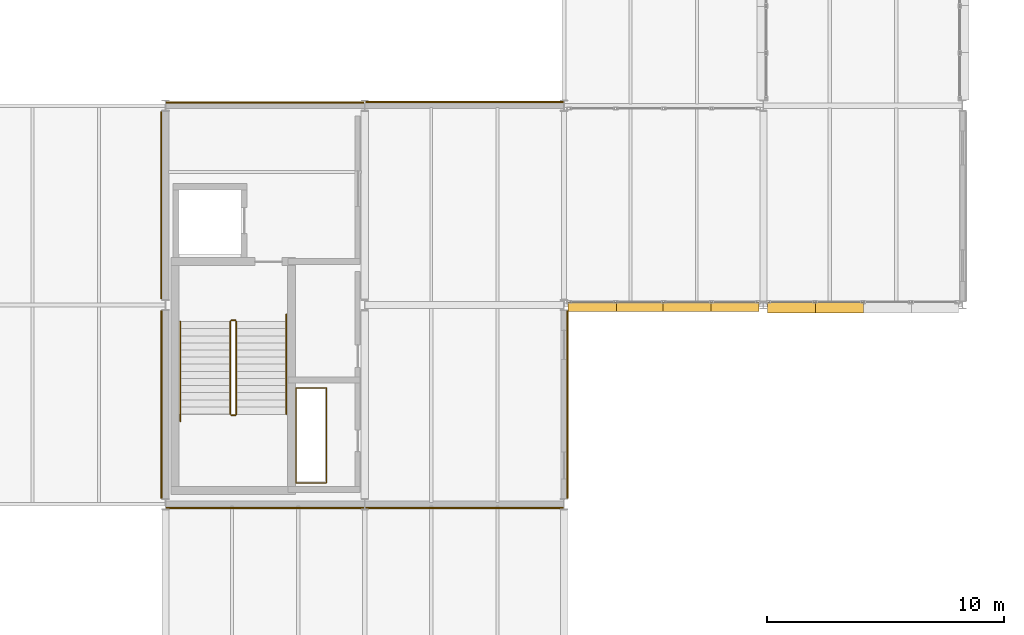
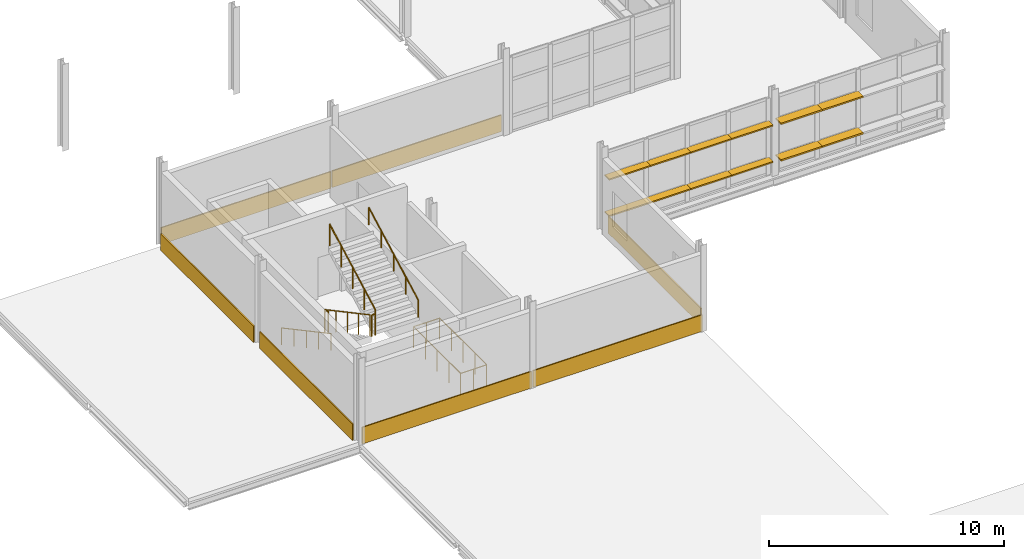
# One storey, part 115 of 129: 12 shading devices, 7 coverings, 7 railings.
"""IFC4 building model written with IfcOpenShell, lengths in metres."""

from ifc_helpers import new_model, si_unit, direction, frame, origin, origin_2d, place, context, subcontext, project, spatial, rectangle, circle, extrude, material, layer, layer_set, type_object, element, save


model = new_model("IFC4")

# Units and contexts
model_context = context("Model", 3, precision=1e-05, world=origin(), true_north=direction((0.0, 1.0)))
body_context = subcontext(model_context, "Body", "Model", "MODEL_VIEW")
ifc_project = project(units=[si_unit("LENGTHUNIT", "METRE"), si_unit("AREAUNIT", "SQUARE_METRE"), si_unit("VOLUMEUNIT", "CUBIC_METRE"), si_unit("PLANEANGLEUNIT", "RADIAN"), si_unit("MASSUNIT", "GRAM", prefix="KILO")], contexts=[model_context])

# Site, building, storey
site_placement = place(None, origin())
site = spatial("IfcSite", under=ifc_project, at=site_placement, CompositionType="ELEMENT")
building_placement = place(site_placement, origin())
building = spatial("IfcBuilding", under=site, at=building_placement, Name="Mersafa Astral City Hall", CompositionType="ELEMENT")
storey_placement = place(building_placement, frame((0.0, 0.0, 5.39990234375)))
storey = spatial("IfcBuildingStorey", under=building, at=storey_placement, Name="L01", CompositionType="ELEMENT", Elevation=5.39990234375)

# Coverings
ifc_material_1 = material(Name="Cairo Mokattam buff limestone cladding", Category="masonry")
ifc_layer = layer(ifc_material_1, 0.06005859375, Name="Cairo Mokattam buff limestone cladding")
ifc_layer_set = layer_set([ifc_layer], Name="Cairo Mokattam buff limestone cladding — ENV-COV-LIMESTONE-60")
covering_type = type_object("IfcCoveringType", Name="ENV-COV-LIMESTONE-60", PredefinedType="CLADDING", material=ifc_layer_set)
for number, where, z_axis, x_axis, name in (
    (1, (21.0, 92.547119140625, 0.0), (0.0, 0.0, 1.0), (-1.0, 0.0, 0.0), "L01 Cairo buff limestone rainscreen cladding 112"),
    (2, (12.60009765625, 92.53955078125, 0.0), (0.0, 0.0, 1.0), (-1.0, 0.0, 0.0), "L01 Cairo buff limestone rainscreen cladding 113"),
):
    element("IfcCovering", number, at=place(storey_placement, frame(where, z_axis=z_axis, x_axis=x_axis)), inside=storey, type_object=covering_type, Name=name, PredefinedType="CLADDING", context=body_context, shape_type="SweptSolid", body=[
        extrude(rectangle(XDim=8.323974609375, YDim=0.06005859375, at=origin_2d()), origin(), (0.0, 0.0, 1.0), 0.860107421875),
    ])
for number, where, z_axis, x_axis, name in (
    (3, (8.222900390625, 88.199951171875, 0.0), (0.0, 0.0, 1.0), (0.0, -1.0, 0.0), "L01 Cairo buff limestone rainscreen cladding 114"),
    (4, (8.23046875, 79.800048828125, 0.0), (0.0, 0.0, 1.0), (0.0, -1.0, 0.0), "L01 Cairo buff limestone rainscreen cladding 115"),
):
    element("IfcCovering", number, at=place(storey_placement, frame(where, z_axis=z_axis, x_axis=x_axis)), inside=storey, type_object=covering_type, Name=name, PredefinedType="CLADDING", context=body_context, shape_type="SweptSolid", body=[
        extrude(rectangle(XDim=7.89794921875, YDim=0.06005859375, at=origin_2d()), origin(), (0.0, 0.0, 1.0), 0.860107421875),
    ])
for number, where, z_axis, x_axis, name in (
    (5, (12.60009765625, 75.43798828125, 0.0), (0.0, 0.0, 1.0), (1.0, 0.0, 0.0), "L01 Cairo buff limestone rainscreen cladding 116"),
    (6, (21.0, 75.445556640625, 0.0), (0.0, 0.0, 1.0), (1.0, 0.0, 0.0), "L01 Cairo buff limestone rainscreen cladding 117"),
):
    element("IfcCovering", number, at=place(storey_placement, frame(where, z_axis=z_axis, x_axis=x_axis)), inside=storey, type_object=covering_type, Name=name, PredefinedType="CLADDING", context=body_context, shape_type="SweptSolid", body=[
        extrude(rectangle(XDim=8.323974609375, YDim=0.06005859375, at=origin_2d()), origin(), (0.0, 0.0, 1.0), 0.860107421875),
    ])
covering_placement = place(storey_placement, frame((25.346923828125, 79.800048828125, 0.0), z_axis=(0.0, 0.0, 1.0), x_axis=(0.0, 1.0, 0.0)))
element("IfcCovering", 7, at=covering_placement, inside=storey, type_object=covering_type, Name="L01 Cairo buff limestone rainscreen cladding 118", PredefinedType="CLADDING", context=body_context, shape_type="SweptSolid", body=[
    extrude(rectangle(XDim=7.89794921875, YDim=0.06005859375, at=origin_2d()), origin(), (0.0, 0.0, 1.0), 0.860107421875),
])

# Shading devices
ifc_material_2 = material(Name="Kiln-dried cedar timber brise-soleil blade", Category="wood")
shading_device_type_1 = type_object("IfcShadingDeviceType", Name="ENV-SHD-LOUVRE-380", PredefinedType="JALOUSIE", material=ifc_material_2)
shading_device_1_placement = place(storey_placement, frame((26.386474609375, 83.919921875, 0.81494140625), z_axis=(0.0, 0.0, 1.0), x_axis=(1.0, 0.0, 0.0)))
element("IfcShadingDevice", 8, at=shading_device_1_placement, inside=storey, type_object=shading_device_type_1, Name="L01 Horizontal cedar brise-soleil louvre 527", PredefinedType="JALOUSIE", context=body_context, shape_type="SweptSolid", body=[
    extrude(rectangle(XDim=2.029052734375, YDim=0.3798828125, at=origin_2d()), origin(), (0.0, 0.0, 1.0), 0.070068359375),
])
for number, where, z_axis, x_axis, name in (
    (9, (28.390380859375, 83.919921875, 0.81494140625), (0.0, 0.0, 1.0), (1.0, 0.0, 0.0), "L01 Horizontal cedar brise-soleil louvre 528"),
    (10, (30.409423828125, 83.919921875, 0.81494140625), (0.0, 0.0, 1.0), (1.0, 0.0, 0.0), "L01 Horizontal cedar brise-soleil louvre 529"),
):
    element("IfcShadingDevice", number, at=place(storey_placement, frame(where, z_axis=z_axis, x_axis=x_axis)), inside=storey, type_object=shading_device_type_1, Name=name, PredefinedType="JALOUSIE", context=body_context, shape_type="SweptSolid", body=[
        extrude(rectangle(XDim=2.05908203125, YDim=0.3798828125, at=origin_2d()), origin(), (0.0, 0.0, 1.0), 0.070068359375),
    ])
for number, where, z_axis, x_axis, name in (
    (11, (32.41357421875, 83.919921875, 0.81494140625), (0.0, 0.0, 1.0), (1.0, 0.0, 0.0), "L01 Horizontal cedar brise-soleil louvre 530"),
    (12, (26.386474609375, 83.919921875, 2.71484375), (0.0, 0.0, 1.0), (1.0, 0.0, 0.0), "L01 Horizontal cedar brise-soleil louvre 531"),
):
    element("IfcShadingDevice", number, at=place(storey_placement, frame(where, z_axis=z_axis, x_axis=x_axis)), inside=storey, type_object=shading_device_type_1, Name=name, PredefinedType="JALOUSIE", context=body_context, shape_type="SweptSolid", body=[
        extrude(rectangle(XDim=2.029052734375, YDim=0.3798828125, at=origin_2d()), origin(), (0.0, 0.0, 1.0), 0.070068359375),
    ])
for number, where, z_axis, x_axis, name in (
    (13, (28.390380859375, 83.919921875, 2.71484375), (0.0, 0.0, 1.0), (1.0, 0.0, 0.0), "L01 Horizontal cedar brise-soleil louvre 532"),
    (14, (30.409423828125, 83.919921875, 2.71484375), (0.0, 0.0, 1.0), (1.0, 0.0, 0.0), "L01 Horizontal cedar brise-soleil louvre 533"),
):
    element("IfcShadingDevice", number, at=place(storey_placement, frame(where, z_axis=z_axis, x_axis=x_axis)), inside=storey, type_object=shading_device_type_1, Name=name, PredefinedType="JALOUSIE", context=body_context, shape_type="SweptSolid", body=[
        extrude(rectangle(XDim=2.05908203125, YDim=0.3798828125, at=origin_2d()), origin(), (0.0, 0.0, 1.0), 0.070068359375),
    ])
shading_device_2_placement = place(storey_placement, frame((32.41357421875, 83.919921875, 2.71484375), z_axis=(0.0, 0.0, 1.0), x_axis=(1.0, 0.0, 0.0)))
element("IfcShadingDevice", 15, at=shading_device_2_placement, inside=storey, type_object=shading_device_type_1, Name="L01 Horizontal cedar brise-soleil louvre 534", PredefinedType="JALOUSIE", context=body_context, shape_type="SweptSolid", body=[
    extrude(rectangle(XDim=2.029052734375, YDim=0.3798828125, at=origin_2d()), origin(), (0.0, 0.0, 1.0), 0.070068359375),
])
shading_device_type_2 = type_object("IfcShadingDeviceType", Name="ENV-SHD-LOUVRE-450", PredefinedType="JALOUSIE", material=ifc_material_2)
shading_device_3_placement = place(storey_placement, frame((34.78662109375, 83.885009765625, 0.81005859375), z_axis=(0.0, 0.0, 1.0), x_axis=(1.0, 0.0, 0.0)))
element("IfcShadingDevice", 16, at=shading_device_3_placement, inside=storey, type_object=shading_device_type_2, Name="L01 Horizontal cedar brise-soleil louvre 535", PredefinedType="JALOUSIE", context=body_context, shape_type="SweptSolid", body=[
    extrude(rectangle(XDim=2.029052734375, YDim=0.449951171875, at=origin_2d()), origin(), (0.0, 0.0, 1.0), 0.080078125),
])
shading_device_4_placement = place(storey_placement, frame((36.79052734375, 83.885009765625, 0.81005859375), z_axis=(0.0, 0.0, 1.0), x_axis=(1.0, 0.0, 0.0)))
element("IfcShadingDevice", 17, at=shading_device_4_placement, inside=storey, type_object=shading_device_type_2, Name="L01 Horizontal cedar brise-soleil louvre 536", PredefinedType="JALOUSIE", context=body_context, shape_type="SweptSolid", body=[
    extrude(rectangle(XDim=2.05908203125, YDim=0.449951171875, at=origin_2d()), origin(), (0.0, 0.0, 1.0), 0.080078125),
])
shading_device_5_placement = place(storey_placement, frame((34.78662109375, 83.885009765625, 2.7099609375), z_axis=(0.0, 0.0, 1.0), x_axis=(1.0, 0.0, 0.0)))
element("IfcShadingDevice", 18, at=shading_device_5_placement, inside=storey, type_object=shading_device_type_2, Name="L01 Horizontal cedar brise-soleil louvre 539", PredefinedType="JALOUSIE", context=body_context, shape_type="SweptSolid", body=[
    extrude(rectangle(XDim=2.029052734375, YDim=0.449951171875, at=origin_2d()), origin(), (0.0, 0.0, 1.0), 0.080078125),
])
shading_device_6_placement = place(storey_placement, frame((36.79052734375, 83.885009765625, 2.7099609375), z_axis=(0.0, 0.0, 1.0), x_axis=(1.0, 0.0, 0.0)))
element("IfcShadingDevice", 19, at=shading_device_6_placement, inside=storey, type_object=shading_device_type_2, Name="L01 Horizontal cedar brise-soleil louvre 540", PredefinedType="JALOUSIE", context=body_context, shape_type="SweptSolid", body=[
    extrude(rectangle(XDim=2.05908203125, YDim=0.449951171875, at=origin_2d()), origin(), (0.0, 0.0, 1.0), 0.080078125),
])

# Railings
ifc_material_3 = material(Name="Painted architectural steel stair guard balustrade", Category="steel")
railing_type_1 = type_object("IfcRailingType", Name="GUARD-RAIL", PredefinedType="BALUSTRADE", material=ifc_material_3)
railing_1_placement = place(storey_placement, frame((11.1298828125, 83.300048828125, 0.160888671875)))
element("IfcRailing", 20, at=railing_1_placement, inside=storey, type_object=railing_type_1, Name="L01 ST6 stair guard 1", PredefinedType="BALUSTRADE", context=body_context, shape_type="SweptSolid", body=[
    extrude(circle(Radius=0.02392578125, at=origin_2d()), frame((0.0, 0.0, 1.09619140625), z_axis=(0.0, -0.881503758195, 0.472177005251), x_axis=(1.0, 0.0, 0.0)), (0.0, 0.0, 1.0), 4.42431640625),
    extrude(circle(Radius=0.02099609375, at=origin_2d()), origin(), (0.0, 0.0, 1.0), 1.072021484375),
    extrude(circle(Radius=0.02099609375, at=origin_2d()), frame((0.0, -0.97509765625, 0.522216796875)), (0.0, 0.0, 1.0), 1.072021484375),
    extrude(circle(Radius=0.02099609375, at=origin_2d()), frame((0.0, -1.9501953125, 1.04443359375)), (0.0, 0.0, 1.0), 1.072021484375),
    extrude(circle(Radius=0.02099609375, at=origin_2d()), frame((0.0, -2.925048828125, 1.56689453125)), (0.0, 0.0, 1.0), 1.072021484375),
    extrude(circle(Radius=0.02099609375, at=origin_2d()), frame((0.0, -3.900146484375, 2.089111328125)), (0.0, 0.0, 1.0), 1.072021484375),
])
railing_2_placement = place(storey_placement, frame((11.179931640625, 79.35009765625, 2.25)))
element("IfcRailing", 21, at=railing_2_placement, inside=storey, type_object=railing_type_1, Name="L01 ST6 stair guard 2", PredefinedType="BALUSTRADE", context=body_context, shape_type="SweptSolid", body=[
    extrude(circle(Radius=0.02392578125, at=origin_2d()), frame((0.0, 0.0, 1.09619140625), z_axis=(1.0, 0.0, 0.0), x_axis=(0.0, 1.0, 0.0)), (0.0, 0.0, 1.0), 0.16015625),
    extrude(circle(Radius=0.02099609375, at=origin_2d()), origin(), (0.0, 0.0, 1.0), 1.072021484375),
    extrude(circle(Radius=0.02099609375, at=origin_2d()), frame((0.16015625, 0.0, 0.0)), (0.0, 0.0, 1.0), 1.072021484375),
])
railing_3_placement = place(storey_placement, frame((11.389892578125, 79.39990234375, 2.410888671875)))
element("IfcRailing", 22, at=railing_3_placement, inside=storey, type_object=railing_type_1, Name="L01 ST6 stair guard 3", PredefinedType="BALUSTRADE", context=body_context, shape_type="SweptSolid", body=[
    extrude(circle(Radius=0.02392578125, at=origin_2d()), frame((0.0, 0.0, 1.09619140625), z_axis=(0.0, 0.881503758195, 0.472177005251), x_axis=(-1.0, 0.0, 0.0)), (0.0, 0.0, 1.0), 4.42431640625),
    extrude(circle(Radius=0.02099609375, at=origin_2d()), origin(), (0.0, 0.0, 1.0), 1.072021484375),
    extrude(circle(Radius=0.02099609375, at=origin_2d()), frame((0.0, 0.97509765625, 0.522216796875)), (0.0, 0.0, 1.0), 1.072021484375),
    extrude(circle(Radius=0.02099609375, at=origin_2d()), frame((0.0, 1.9501953125, 1.04443359375)), (0.0, 0.0, 1.0), 1.072021484375),
    extrude(circle(Radius=0.02099609375, at=origin_2d()), frame((0.0, 2.925048828125, 1.56689453125)), (0.0, 0.0, 1.0), 1.072021484375),
    extrude(circle(Radius=0.02099609375, at=origin_2d()), frame((0.0, 3.900146484375, 2.089111328125)), (0.0, 0.0, 1.0), 1.072021484375),
])
railing_4_placement = place(storey_placement, frame((11.179931640625, 83.35009765625, 0.0)))
element("IfcRailing", 23, at=railing_4_placement, inside=storey, type_object=railing_type_1, Name="L01 ST6 stair guard 4", PredefinedType="BALUSTRADE", context=body_context, shape_type="SweptSolid", body=[
    extrude(circle(Radius=0.02392578125, at=origin_2d()), frame((0.0, 0.0, 1.09619140625), z_axis=(1.0, 0.0, 0.0), x_axis=(0.0, 1.0, 0.0)), (0.0, 0.0, 1.0), 0.16015625),
    extrude(circle(Radius=0.02099609375, at=origin_2d()), origin(), (0.0, 0.0, 1.0), 1.072021484375),
    extrude(circle(Radius=0.02099609375, at=origin_2d()), frame((0.16015625, 0.0, 0.0)), (0.0, 0.0, 1.0), 1.072021484375),
])
railing_5_placement = place(storey_placement, frame((13.89990234375, 76.5, 0.0)))
element("IfcRailing", 24, at=railing_5_placement, inside=storey, type_object=railing_type_1, Name="L01 K6 MEP Riser Shaft Guard", PredefinedType="BALUSTRADE", context=body_context, shape_type="SweptSolid", body=[
    extrude(circle(Radius=0.02392578125, at=origin_2d()), frame((0.0, 0.0, 1.09619140625), z_axis=(1.0, 0.0, 0.0), x_axis=(0.0, 1.0, 0.0)), (0.0, 0.0, 1.0), 1.280029296875),
    extrude(circle(Radius=0.02392578125, at=origin_2d()), frame((1.280029296875, 0.0, 1.09619140625), z_axis=(0.0, 1.0, 0.0), x_axis=(-1.0, 0.0, 0.0)), (0.0, 0.0, 1.0), 4.0),
    extrude(circle(Radius=0.02392578125, at=origin_2d()), frame((1.280029296875, 4.0, 1.09619140625), z_axis=(-1.0, 0.0, 0.0), x_axis=(0.0, -1.0, 0.0)), (0.0, 0.0, 1.0), 1.280029296875),
    extrude(circle(Radius=0.02392578125, at=origin_2d()), frame((0.0, 4.0, 1.09619140625), z_axis=(0.0, -1.0, 0.0), x_axis=(1.0, 0.0, 0.0)), (0.0, 0.0, 1.0), 4.0),
    extrude(circle(Radius=0.02099609375, at=origin_2d()), origin(), (0.0, 0.0, 1.0), 1.072021484375),
    extrude(circle(Radius=0.02099609375, at=origin_2d()), frame((0.64013671875, 0.0, 0.0)), (0.0, 0.0, 1.0), 1.072021484375),
    extrude(circle(Radius=0.02099609375, at=origin_2d()), frame((1.280029296875, 0.0, 0.0)), (0.0, 0.0, 1.0), 1.072021484375),
    extrude(circle(Radius=0.02099609375, at=origin_2d()), frame((1.280029296875, 1.0, 0.0)), (0.0, 0.0, 1.0), 1.072021484375),
    extrude(circle(Radius=0.02099609375, at=origin_2d()), frame((1.280029296875, 2.0, 0.0)), (0.0, 0.0, 1.0), 1.072021484375),
    extrude(circle(Radius=0.02099609375, at=origin_2d()), frame((1.280029296875, 3.0, 0.0)), (0.0, 0.0, 1.0), 1.072021484375),
    extrude(circle(Radius=0.02099609375, at=origin_2d()), frame((1.280029296875, 4.0, 0.0)), (0.0, 0.0, 1.0), 1.072021484375),
    extrude(circle(Radius=0.02099609375, at=origin_2d()), frame((0.64013671875, 4.0, 0.0)), (0.0, 0.0, 1.0), 1.072021484375),
    extrude(circle(Radius=0.02099609375, at=origin_2d()), frame((0.0, 4.0, 0.0)), (0.0, 0.0, 1.0), 1.072021484375),
    extrude(circle(Radius=0.02099609375, at=origin_2d()), frame((0.0, 3.0, 0.0)), (0.0, 0.0, 1.0), 1.072021484375),
    extrude(circle(Radius=0.02099609375, at=origin_2d()), frame((0.0, 2.0, 0.0)), (0.0, 0.0, 1.0), 1.072021484375),
    extrude(circle(Radius=0.02099609375, at=origin_2d()), frame((0.0, 1.0, 0.0)), (0.0, 0.0, 1.0), 1.072021484375),
])
ifc_material_4 = material(Name="Brushed stainless steel tubular handrail", Category="steel")
railing_type_2 = type_object("IfcRailingType", Name="HANDRAIL", PredefinedType="HANDRAIL", material=ifc_material_4)
railing_6_placement = place(storey_placement, frame((9.030029296875, 83.300048828125, 0.160888671875)))
element("IfcRailing", 25, at=railing_6_placement, inside=storey, type_object=railing_type_2, Name="L01 ST6 stair handrail 1", PredefinedType="HANDRAIL", context=body_context, shape_type="SweptSolid", body=[
    extrude(circle(Radius=0.02392578125, at=origin_2d()), frame((0.0, 0.0, 0.8759765625), z_axis=(0.0, -0.881221683169, 0.472703231546), x_axis=(1.0, 0.0, 0.0)), (0.0, 0.0, 1.0), 4.76611328125),
    extrude(circle(Radius=0.02099609375, at=origin_2d()), origin(), (0.0, 0.0, 1.0), 0.851806640625),
    extrude(circle(Radius=0.02099609375, at=origin_2d()), frame((0.0, -1.050048828125, 0.563232421875)), (0.0, 0.0, 1.0), 0.851806640625),
    extrude(circle(Radius=0.02099609375, at=origin_2d()), frame((0.0, -2.10009765625, 1.12646484375)), (0.0, 0.0, 1.0), 0.851806640625),
    extrude(circle(Radius=0.02099609375, at=origin_2d()), frame((0.0, -3.14990234375, 1.689697265625)), (0.0, 0.0, 1.0), 0.851806640625),
    extrude(circle(Radius=0.02099609375, at=origin_2d()), frame((0.0, -4.199951171875, 2.2529296875)), (0.0, 0.0, 1.0), 0.851806640625),
])
railing_7_placement = place(storey_placement, frame((13.489990234375, 79.39990234375, 2.410888671875)))
element("IfcRailing", 26, at=railing_7_placement, inside=storey, type_object=railing_type_2, Name="L01 ST6 stair handrail 2", PredefinedType="HANDRAIL", context=body_context, shape_type="SweptSolid", body=[
    extrude(circle(Radius=0.02392578125, at=origin_2d()), frame((0.0, 0.0, 0.8759765625), z_axis=(0.0, 0.881233128509, 0.47268189432), x_axis=(-1.0, 0.0, 0.0)), (0.0, 0.0, 1.0), 4.766357421875),
    extrude(circle(Radius=0.02099609375, at=origin_2d()), origin(), (0.0, 0.0, 1.0), 0.851806640625),
    extrude(circle(Radius=0.02099609375, at=origin_2d()), frame((0.0, 1.050048828125, 0.563232421875)), (0.0, 0.0, 1.0), 0.851806640625),
    extrude(circle(Radius=0.02099609375, at=origin_2d()), frame((0.0, 2.10009765625, 1.12646484375)), (0.0, 0.0, 1.0), 0.851806640625),
    extrude(circle(Radius=0.02099609375, at=origin_2d()), frame((0.0, 3.150146484375, 1.689697265625)), (0.0, 0.0, 1.0), 0.851806640625),
    extrude(circle(Radius=0.02099609375, at=origin_2d()), frame((0.0, 4.2001953125, 2.2529296875)), (0.0, 0.0, 1.0), 0.851806640625),
])

save(model, "model.ifc")
